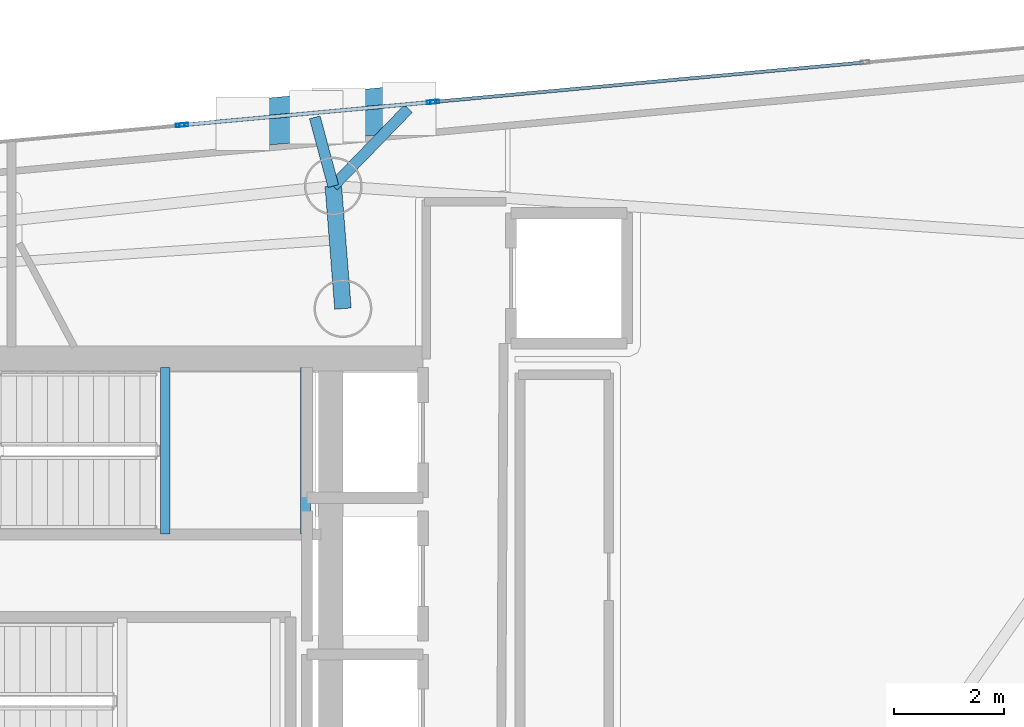
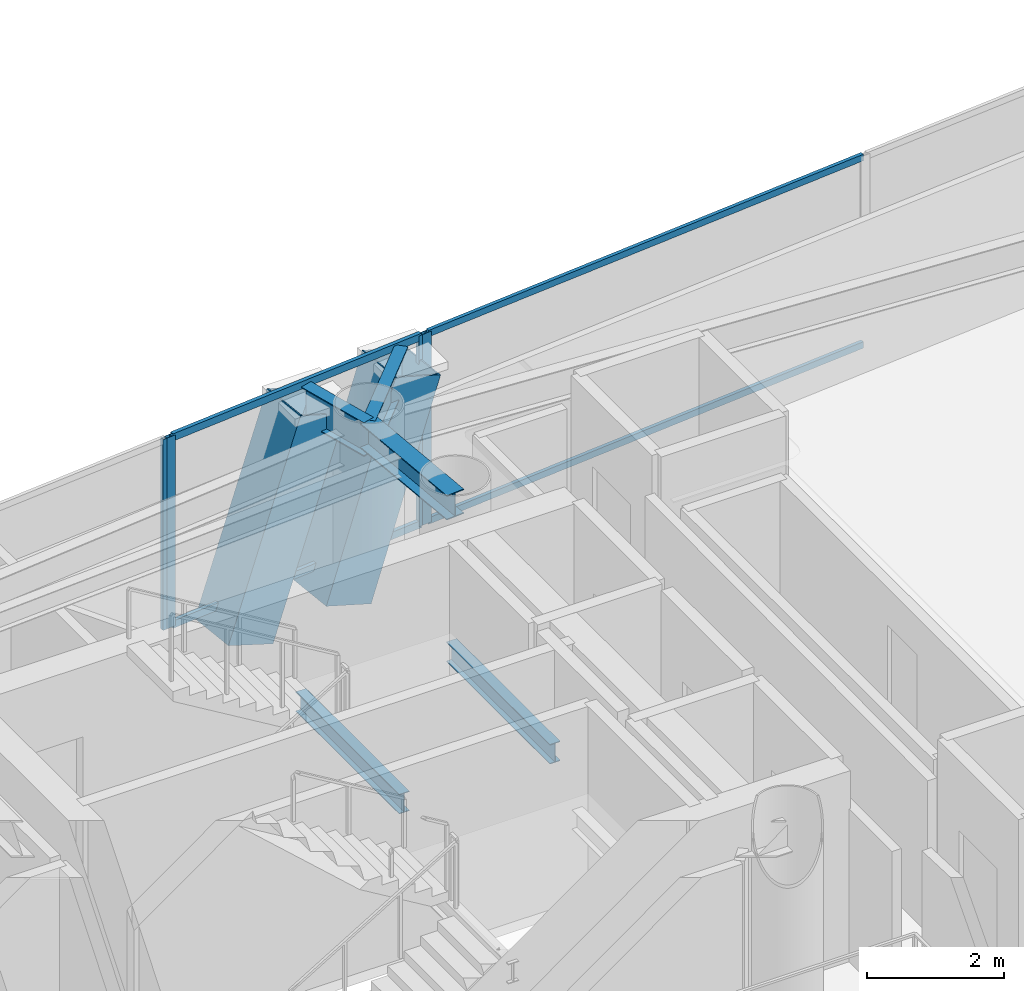
# One storey, part 11 of 21: 10 members, 5 beams, 3 elements without a shape of their own.
"""IFC4 building model written with IfcOpenShell, lengths in metres."""

from ifc_helpers import new_model, si_unit, direction, frame, origin, origin_2d, place, context, subcontext, project, spatial, hollow_rectangle, i_section, extrude, material, layer, layer_set, material_profile, profile_set, type_object, element, aggregate, save


model = new_model("IFC4")

# Units and contexts
model_context = context("Model", 3, precision=1e-05, world=origin(), true_north=direction((0.0, 1.0)))
body_context = subcontext(model_context, "Body", "Model", "MODEL_VIEW")
ifc_project = project(units=[si_unit("LENGTHUNIT", "METRE"), si_unit("AREAUNIT", "SQUARE_METRE"), si_unit("VOLUMEUNIT", "CUBIC_METRE"), si_unit("PLANEANGLEUNIT", "RADIAN"), si_unit("MASSUNIT", "GRAM", prefix="KILO")], contexts=[model_context])

# Site, building, storey
site_placement = place(None, origin())
site = spatial("IfcSite", under=ifc_project, at=site_placement, CompositionType="ELEMENT")
building_placement = place(site_placement, origin())
building = spatial("IfcBuilding", under=site, at=building_placement, Name="Qianvela Tower", CompositionType="ELEMENT")
storey_placement = place(building_placement, frame((0.0, 0.0, 272.300048828125)))
storey = spatial("IfcBuildingStorey", under=building, at=storey_placement, Name="L70", CompositionType="ELEMENT", Elevation=272.300048828125)

# Beams
ifc_material_1 = material(Name="Steel Q355B", Category="steel")
ifc_material_profile_1 = material_profile(ifc_material_1, i_section(OverallWidth=0.300048828125, OverallDepth=0.43994140625, WebThickness=0.010986328125, FlangeThickness=0.01806640625, at=origin_2d()), Name="HM440x300x11x18")
ifc_profile_set_1 = profile_set([ifc_material_profile_1], Name="Steel Q355B")
beam_type_1 = type_object("IfcBeamType", Name="BM-HM440-COLL", PredefinedType="BEAM", material=ifc_profile_set_1)
beam_1_placement = place(storey_placement, frame((38.39990234375, 33.550048828125, 3.177978515625), z_axis=(-0.078396085685, 0.996922290727, 0.0), x_axis=(-0.996922290727, -0.078396085685, 0.0)))
element("IfcBeam", 1, at=beam_1_placement, inside=storey, type_object=beam_type_1, Name="L70 Radial Primary Floor Girder 2", PredefinedType="BEAM", context=body_context, shape_type="SweptSolid", body=[
    extrude(i_section(OverallWidth=0.300048828125, OverallDepth=0.43994140625, WebThickness=0.010986328125, FlangeThickness=0.01806640625, at=origin_2d()), origin(), (0.0, 0.0, 1.0), 2.229736328125),
])
ifc_material_2 = material(Name="Steel Q355B", Category="steel")
ifc_material_profile_2 = material_profile(ifc_material_2, i_section(OverallWidth=0.175048828125, OverallDepth=0.35009765625, WebThickness=0.007080078125, FlangeThickness=0.010986328125, at=origin_2d()), Name="HN350x175x7x11")
ifc_profile_set_2 = profile_set([ifc_material_profile_2], Name="Steel Q355B")
beam_type_2 = type_object("IfcBeamType", Name="BM-HN350-JOIST", PredefinedType="JOIST", material=ifc_profile_set_2)
for number, where, z_axis, x_axis, name in (
    (2, (35.179931640625, 29.4599609375, 1.474853515625), (0.0, 1.0, 0.0), (-1.0, 0.0, 0.0), "L70 Stair ST-1 Landing Support Beam 1.1"),
    (3, (37.719970703125, 29.4599609375, 1.474853515625), (0.0, 1.0, 0.0), (-1.0, 0.0, 0.0), "L70 Stair ST-1 Landing Support Beam 1.2"),
):
    element("IfcBeam", number, at=place(storey_placement, frame(where, z_axis=z_axis, x_axis=x_axis)), inside=storey, type_object=beam_type_2, Name=name, PredefinedType="JOIST", context=body_context, shape_type="SweptSolid", body=[
        extrude(i_section(OverallWidth=0.175048828125, OverallDepth=0.35009765625, WebThickness=0.007080078125, FlangeThickness=0.010986328125, at=origin_2d()), origin(), (0.0, 0.0, 1.0), 3.02001953125),
    ])
ifc_material_3 = material(Name="Steel Q355B", Category="steel")
ifc_material_profile_3 = material_profile(ifc_material_3, i_section(OverallWidth=0.199951171875, OverallDepth=0.60009765625, WebThickness=0.010986328125, FlangeThickness=0.01708984375, at=origin_2d()), Name="HN600x200x11x17")
ifc_profile_set_3 = profile_set([ifc_material_profile_3], Name="Steel Q355B")
beam_type_3 = type_object("IfcBeamType", Name="BM-HN600-GIRD", PredefinedType="BEAM", material=ifc_profile_set_3)
beam_2_placement = place(storey_placement, frame((38.22509765625, 35.77294921875, 3.097900390625), z_axis=(0.695964366235, 0.718076319712, 0.0), x_axis=(-0.718076319712, 0.695964366235, 0.0)))
element("IfcBeam", 4, at=beam_2_placement, inside=storey, type_object=beam_type_3, Name="L70 Mega-Brace Column Tie Bracket F1-1", PredefinedType="BEAM", context=body_context, shape_type="SweptSolid", body=[
    extrude(i_section(OverallWidth=0.199951171875, OverallDepth=0.60009765625, WebThickness=0.010986328125, FlangeThickness=0.01708984375, at=origin_2d()), origin(), (0.0, 0.0, 1.0), 1.954345703125),
])
beam_3_placement = place(storey_placement, frame((38.22509765625, 35.77294921875, 3.097900390625), z_axis=(-0.259837931602, 0.965652240354, 0.0), x_axis=(-0.965652240354, -0.259837931602, 0.0)))
element("IfcBeam", 5, at=beam_3_placement, inside=storey, type_object=beam_type_3, Name="L70 Mega-Brace Column Tie Bracket F1-2", PredefinedType="BEAM", context=body_context, shape_type="SweptSolid", body=[
    extrude(i_section(OverallWidth=0.199951171875, OverallDepth=0.60009765625, WebThickness=0.010986328125, FlangeThickness=0.01708984375, at=origin_2d()), origin(), (0.0, 0.0, 1.0), 1.2919921875),
])

# Curtain wall, members
ifc_material_4 = material(Name="Anodised Architectural Aluminium and Insulated Spandrel Panel", Category="aluminium")
ifc_layer_1 = layer(ifc_material_4, 0.179931640625)
ifc_layer_set_1 = layer_set([ifc_layer_1], Name="Anodised Architectural Aluminium and Insulated Spandrel Panel")
curtain_wall_type_1 = type_object("IfcCurtainWallType", Name="CW-BRACEBAY", PredefinedType="USERDEFINED", material=ifc_layer_set_1)
curtain_wall_1_placement = place(storey_placement, origin())
curtain_wall_1 = element("IfcCurtainWall", 6, at=curtain_wall_1_placement, inside=storey, type_object=curtain_wall_type_1, Name="L70 CW-BRACEBAY Curtain Wall 02B", ObjectType="CURTAIN_WALL_SYSTEM", PredefinedType="USERDEFINED")
ifc_material_5 = material(Name="Anodised Architectural Aluminium 6063-T6", Category="aluminium")
ifc_material_profile_4 = material_profile(ifc_material_5, hollow_rectangle(XDim=0.06494140625, YDim=0.159912109375, WallThickness=0.0048828125, at=origin_2d()), Name="ALU-MULL-65x160")
ifc_profile_set_4 = profile_set([ifc_material_profile_4], Name="Anodised Architectural Aluminium 6063-T6")
member_type_1 = type_object("IfcMemberType", Name="CW-BRACEBAY-MULL", PredefinedType="MULLION", material=ifc_profile_set_4)
member_1_placement = place(storey_placement, frame((40.00048828125, 37.294677734375, 0.0), z_axis=(0.0, 0.0, 1.0), x_axis=(0.091443257276, -0.995810288508, 0.0)))
member_1 = element("IfcMember", 7, at=member_1_placement, type_object=member_type_1, Name="CW-9 mullion 1", PredefinedType="MULLION", context=body_context, shape_type="SweptSolid", body=[
    extrude(hollow_rectangle(XDim=0.06494140625, YDim=0.159912109375, WallThickness=0.0048828125, at=origin_2d()), origin(), (0.0, 0.0, 1.0), 3.39990234375),
])
member_2_placement = place(storey_placement, frame((35.51416015625, 36.882568359375, 0.0), z_axis=(0.0, 0.0, 1.0), x_axis=(0.091443257276, -0.995810288508, 0.0)))
member_2 = element("IfcMember", 8, at=member_2_placement, type_object=member_type_1, Name="CW-9 mullion 2", PredefinedType="MULLION", context=body_context, shape_type="SweptSolid", body=[
    extrude(hollow_rectangle(XDim=0.06494140625, YDim=0.159912109375, WallThickness=0.0048828125, at=origin_2d()), origin(), (0.0, 0.0, 1.0), 3.39990234375),
])
ifc_material_6 = material(Name="Anodised Architectural Aluminium 6063-T6", Category="aluminium")
ifc_material_profile_5 = material_profile(ifc_material_6, hollow_rectangle(XDim=0.06494140625, YDim=0.1298828125, WallThickness=0.00439453125, at=origin_2d()), Name="ALU-TRAN-65x130")
ifc_profile_set_5 = profile_set([ifc_material_profile_5], Name="Anodised Architectural Aluminium 6063-T6")
member_type_2 = type_object("IfcMemberType", Name="CW-BRACEBAY-TRAN", PredefinedType="USERDEFINED", material=ifc_profile_set_5)
member_3_placement = place(storey_placement, frame((39.968017578125, 37.291748046875, 0.032470703125), z_axis=(-0.995810313043, -0.091442990093, 0.0), x_axis=(0.091442990093, -0.995810313043, 0.0)))
member_3 = element("IfcMember", 9, at=member_3_placement, type_object=member_type_2, Name="CW-9 transom 1.1", ObjectType="TRANSOM", PredefinedType="USERDEFINED", context=body_context, shape_type="SweptSolid", body=[
    extrude(hollow_rectangle(XDim=0.06494140625, YDim=0.1298828125, WallThickness=0.00439453125, at=origin_2d()), origin(), (0.0, 0.0, 1.0), 4.43994140625),
])
member_4_placement = place(storey_placement, frame((39.968017578125, 37.291748046875, 3.367431640625), z_axis=(-0.995810313043, -0.091442990093, 0.0), x_axis=(0.091442990093, -0.995810313043, 0.0)))
member_4 = element("IfcMember", 10, at=member_4_placement, type_object=member_type_2, Name="CW-9 transom 1.2", ObjectType="TRANSOM", PredefinedType="USERDEFINED", context=body_context, shape_type="SweptSolid", body=[
    extrude(hollow_rectangle(XDim=0.06494140625, YDim=0.1298828125, WallThickness=0.00439453125, at=origin_2d()), origin(), (0.0, 0.0, 1.0), 4.43994140625),
])
aggregate(curtain_wall_1, [member_1, member_2, member_3, member_4])

# Curtain wall, member
ifc_material_7 = material(Name="Anodised Architectural Aluminium and Low-E Glass", Category="aluminium")
ifc_layer_2 = layer(ifc_material_7, 0.159912109375)
ifc_layer_set_2 = layer_set([ifc_layer_2], Name="Anodised Architectural Aluminium and Low-E Glass")
curtain_wall_type_2 = type_object("IfcCurtainWallType", Name="CW-COLIV-Z56", PredefinedType="USERDEFINED", material=ifc_layer_set_2)
curtain_wall_2_placement = place(storey_placement, origin())
curtain_wall_2 = element("IfcCurtainWall", 11, at=curtain_wall_2_placement, inside=storey, type_object=curtain_wall_type_2, Name="L70 CW-COLIV-Z56 Curtain Wall 02A", ObjectType="CURTAIN_WALL_SYSTEM", PredefinedType="USERDEFINED")
ifc_material_8 = material(Name="Anodised Architectural Aluminium 6063-T6", Category="aluminium")
ifc_material_profile_6 = material_profile(ifc_material_8, hollow_rectangle(XDim=0.06494140625, YDim=0.159912109375, WallThickness=0.0048828125, at=origin_2d()), Name="ALU-MULL-65x160")
ifc_profile_set_6 = profile_set([ifc_material_profile_6], Name="Anodised Architectural Aluminium 6063-T6")
member_type_3 = type_object("IfcMemberType", Name="CW-COLIV-Z56-MULL", PredefinedType="MULLION", material=ifc_profile_set_6)
member_5_placement = place(storey_placement, frame((40.065185546875, 37.300537109375, 0.0), z_axis=(0.0, 0.0, 1.0), x_axis=(0.091448806675, -0.995809778902, 0.0)))
member_5 = element("IfcMember", 12, at=member_5_placement, type_object=member_type_3, Name="CW-5 mullion 3", PredefinedType="MULLION", context=body_context, shape_type="SweptSolid", body=[
    extrude(hollow_rectangle(XDim=0.06494140625, YDim=0.159912109375, WallThickness=0.0048828125, at=origin_2d()), origin(), (0.0, 0.0, 1.0), 3.39990234375),
])

curtain_wall_3_placement = place(storey_placement, origin())
curtain_wall_3 = element("IfcCurtainWall", 13, at=curtain_wall_3_placement, inside=storey, type_object=curtain_wall_type_2, Name="L70 CW-COLIV-Z56 Curtain Wall 02C", ObjectType="CURTAIN_WALL_SYSTEM", PredefinedType="USERDEFINED")
member_6_placement = place(storey_placement, frame((35.449462890625, 36.876708984375, 0.0), z_axis=(0.0, 0.0, 1.0), x_axis=(0.091448133455, -0.995809840726, 0.0)))
member_6 = element("IfcMember", 14, at=member_6_placement, type_object=member_type_3, Name="CW-5 mullion 1", PredefinedType="MULLION", context=body_context, shape_type="SweptSolid", body=[
    extrude(hollow_rectangle(XDim=0.06494140625, YDim=0.159912109375, WallThickness=0.0048828125, at=origin_2d()), origin(), (0.0, 0.0, 1.0), 3.39990234375),
])
aggregate(curtain_wall_3, [member_6])

# Member
ifc_material_9 = material(Name="Anodised Architectural Aluminium 6063-T6", Category="aluminium")
ifc_material_profile_7 = material_profile(ifc_material_9, hollow_rectangle(XDim=0.06005859375, YDim=0.114990234375, WallThickness=0.00390625, at=origin_2d()), Name="ALU-TRAN-60x115")
ifc_profile_set_7 = profile_set([ifc_material_profile_7], Name="Anodised Architectural Aluminium 6063-T6")
member_type_4 = type_object("IfcMemberType", Name="CW-COLIV-Z56-TRAN", PredefinedType="USERDEFINED", material=ifc_profile_set_7)
member_7_placement = place(storey_placement, frame((47.83740234375, 38.014404296875, 0.030029296875), z_axis=(-0.995808065141, -0.09146746635, 0.0), x_axis=(0.09146746635, -0.995808065141, 0.0)))
member_7 = element("IfcMember", 15, at=member_7_placement, type_object=member_type_4, Name="CW-5 transom 2.1", ObjectType="TRANSOM", PredefinedType="USERDEFINED", context=body_context, shape_type="SweptSolid", body=[
    extrude(hollow_rectangle(XDim=0.06005859375, YDim=0.114990234375, WallThickness=0.00390625, at=origin_2d()), origin(), (0.0, 0.0, 1.0), 7.7724609375),
])

member_8_placement = place(storey_placement, frame((47.83740234375, 38.014404296875, 3.369873046875), z_axis=(-0.995808065141, -0.09146746635, 0.0), x_axis=(0.09146746635, -0.995808065141, 0.0)))
member_8 = element("IfcMember", 16, at=member_8_placement, type_object=member_type_4, Name="CW-5 transom 2.2", ObjectType="TRANSOM", PredefinedType="USERDEFINED", context=body_context, shape_type="SweptSolid", body=[
    extrude(hollow_rectangle(XDim=0.06005859375, YDim=0.114990234375, WallThickness=0.00390625, at=origin_2d()), origin(), (0.0, 0.0, 1.0), 7.7724609375),
])

aggregate(curtain_wall_2, [member_5, member_7, member_8])

# Members
ifc_material_10 = material(Name="Steel Q420GJC", Category="steel")
ifc_material_profile_8 = material_profile(ifc_material_10, hollow_rectangle(XDim=0.85009765625, YDim=0.85009765625, WallThickness=0.031982421875, at=origin_2d()), Name="MBOX-850x850x32")
ifc_profile_set_8 = profile_set([ifc_material_profile_8], Name="Steel Q420GJC")
member_type_5 = type_object("IfcMemberType", Name="MBR-MBRACE-850", PredefinedType="BRACE", material=ifc_profile_set_8)
member_9_placement = place(storey_placement, frame((38.34912109375, 37.062744140625, -0.48193359375), z_axis=(0.326235493597, 0.02996237498, 0.944813557695), x_axis=(-0.091457863014, 0.995808947185, 0.0)))
element("IfcMember", 17, at=member_9_placement, inside=storey, type_object=member_type_5, Name="L70 Tier 11 Exterior Mega-Brace F1A", PredefinedType="BRACE", context=body_context, shape_type="SweptSolid", body=[
    extrude(hollow_rectangle(XDim=0.85009765625, YDim=0.85009765625, WallThickness=0.031982421875, at=origin_2d()), origin(), (0.0, 0.0, 1.0), 3.788818359375),
])
member_10_placement = place(storey_placement, frame((36.60400390625, 36.90234375, -0.48193359375), z_axis=(0.337779064767, 0.031051294843, 0.940713091486), x_axis=(-0.091541841539, 0.995801230792, 0.0)))
element("IfcMember", 18, at=member_10_placement, inside=storey, type_object=member_type_5, Name="L70 Tier 11 Exterior Mega-Brace F1B", PredefinedType="BRACE", context=body_context, shape_type="SweptSolid", body=[
    extrude(hollow_rectangle(XDim=0.85009765625, YDim=0.85009765625, WallThickness=0.031982421875, at=origin_2d()), origin(), (0.0, 0.0, 1.0), 3.805419921875),
])

save(model, "model.ifc")
